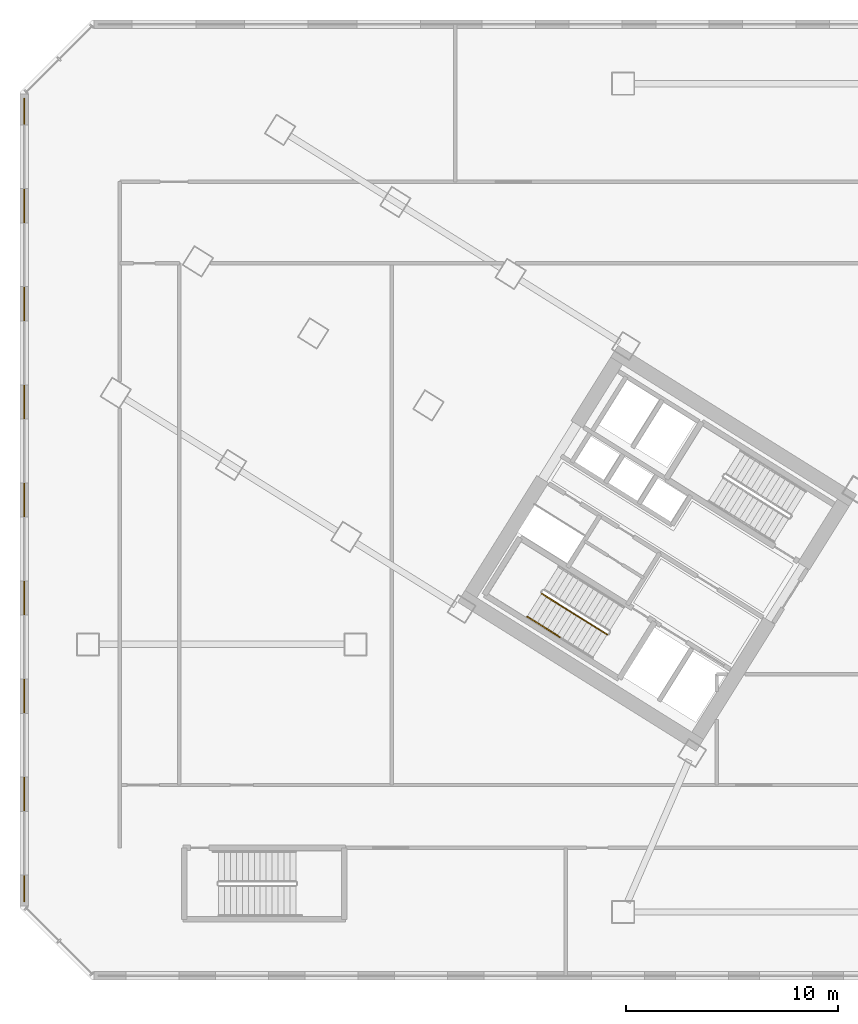
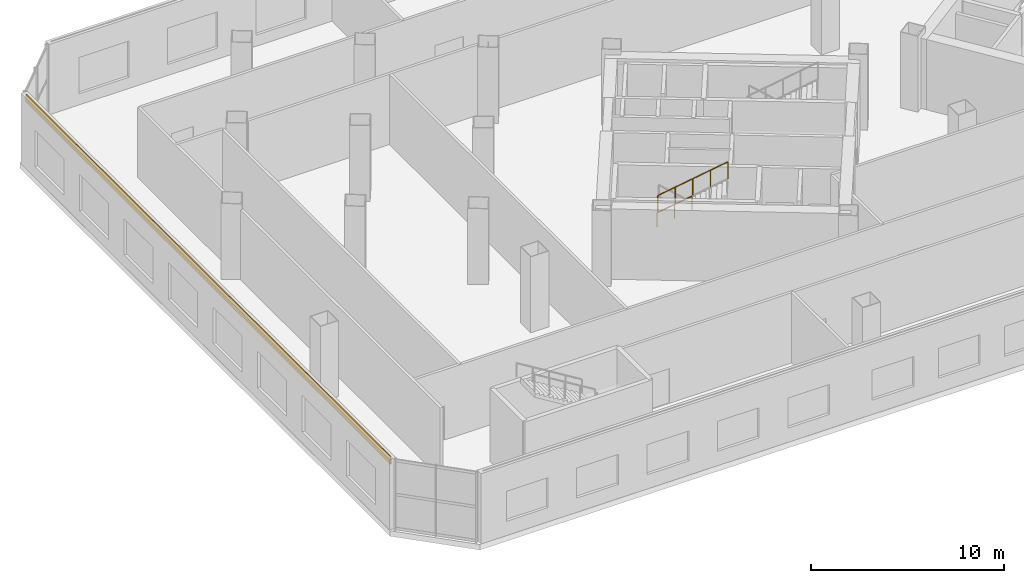
# One storey, part 17 of 22: 2 railings, 1 covering.
"""IFC4 building model written with IfcOpenShell, lengths in metres."""

import ifcopenshell
import ifcopenshell.guid

model = None  # the IFC model being written
_history = None  # IfcOwnerHistory: only IFC2X3 demands one
_inside = {}  # id of a spatial element -> (the spatial element, [elements in it])
_under = {}  # id of a project, library or spatial element -> (it, [spatial elements below it])
_declared = {}  # id of a project -> (the project, [libraries it declares])
_typed = {}  # id of a type object -> (the type object, [elements of that type])
_made_of = {}  # id of a material, layer set ... -> (it, [elements and type objects made of it])


def new_model(schema):
    """Start an empty IFC model of exactly this schema.

    Asked for "IFC4X3", IfcOpenShell would pick the latest addendum, in which some entities
    have other attributes; the version numbers below select the first issue.
    IFC2X3 requires an IfcOwnerHistory on every rooted entity: one is made here for all.
    """
    global model, _history
    if schema == "IFC4X3":
        model = ifcopenshell.file(schema_version=(4, 3, 0, 0))
    else:
        model = ifcopenshell.file(schema=schema)
    _inside.clear()
    _under.clear()
    _declared.clear()
    _typed.clear()
    _made_of.clear()
    _history = None
    if model.schema == "IFC2X3":
        org = make("IfcOrganization", Name="unknown")
        user = make(
            "IfcPersonAndOrganization",
            ThePerson=make("IfcPerson", FamilyName="unknown"),
            TheOrganization=org,
        )
        app = make(
            "IfcApplication",
            ApplicationDeveloper=org,
            Version="unknown",
            ApplicationFullName="unknown",
            ApplicationIdentifier="unknown",
        )
        _history = make(
            "IfcOwnerHistory",
            OwningUser=user,
            OwningApplication=app,
            ChangeAction="ADDED",
            CreationDate=0,
        )
    return model


def make(cls, **values):
    """One entity of the class cls with the attributes given. An attribute that is None is left unset."""
    return model.create_entity(
        cls, **{name: value for name, value in values.items() if value is not None}
    )


def rooted(cls, **values):
    """An entity with a GlobalId (a new one), such as an element, a storey or a relation."""
    return make(cls, GlobalId=ifcopenshell.guid.new(), OwnerHistory=_history, **values)


def si_unit(unit_type, name, prefix=None):
    """IfcSIUnit, for example si_unit("LENGTHUNIT", "METRE", prefix="MILLI")."""
    return make("IfcSIUnit", UnitType=unit_type, Prefix=prefix, Name=name)


def assignment(units):
    """IfcUnitAssignment: the units of a project."""
    return None if units is None else make("IfcUnitAssignment", Units=units)


def point(xyz):
    """IfcCartesianPoint."""
    return None if xyz is None else make("IfcCartesianPoint", Coordinates=xyz)


def direction(xyz):
    """IfcDirection."""
    return None if xyz is None else make("IfcDirection", DirectionRatios=xyz)


def frame(location, z_axis=None, x_axis=None):
    """IfcAxis2Placement3D, a coordinate frame: its origin and axes. An axis left out is left unset."""
    return make(
        "IfcAxis2Placement3D",
        Location=point(location),
        Axis=direction(z_axis),
        RefDirection=direction(x_axis),
    )


def frame_2d(location, x_axis=None):
    """IfcAxis2Placement2D, a coordinate frame in the plane: its origin and x axis."""
    return make(
        "IfcAxis2Placement2D", Location=point(location), RefDirection=direction(x_axis)
    )


def origin():
    """The frame at (0, 0, 0) with its axes left unset."""
    return frame((0.0, 0.0, 0.0))


def origin_2d():
    """The frame at (0, 0) in the plane with its x axis left unset."""
    return frame_2d((0.0, 0.0))


def place(relative_to, where):
    """IfcLocalPlacement: puts the frame where relative to a parent placement (None: the world)."""
    return make(
        "IfcLocalPlacement", PlacementRelTo=relative_to, RelativePlacement=where
    )


def context(
    kind, dimensions, precision=None, world=None, true_north=None, identifier=None
):
    """IfcGeometricRepresentationContext, for example the 3D "Model" context."""
    return make(
        "IfcGeometricRepresentationContext",
        ContextIdentifier=identifier,
        ContextType=kind,
        CoordinateSpaceDimension=dimensions,
        Precision=precision,
        WorldCoordinateSystem=world,
        TrueNorth=true_north,
    )


def subcontext(parent, identifier, kind, view, scale=None):
    """IfcGeometricRepresentationSubContext, for example "Body" below "Model"."""
    return make(
        "IfcGeometricRepresentationSubContext",
        ContextIdentifier=identifier,
        ContextType=kind,
        ParentContext=parent,
        TargetScale=scale,
        TargetView=view,
    )


def project(units=None, contexts=None):
    """IfcProject with its units and contexts."""
    return rooted(
        "IfcProject",
        Name="project",
        RepresentationContexts=contexts,
        UnitsInContext=assignment(units),
    )


def spatial(cls, under=None, at=None, **own):
    """A site, building, storey or space (cls), placed at a placement, below another one or the project."""
    s = rooted(cls, ObjectPlacement=at, **own)
    if under is not None:
        _under.setdefault(under.id(), (under, []))[1].append(s)
    return s


def profile(cls, at=None, kind="AREA", **sizes):
    """A parametric profile (cls). Its sizes go by their IFC names, for example OverallWidth=200.0."""
    return make(cls, ProfileType=kind, Position=at, **sizes)


def rectangle(**sizes):
    """IfcRectangleProfileDef."""
    return profile("IfcRectangleProfileDef", **sizes)


def extrude(swept, where, along, depth):
    """IfcExtrudedAreaSolid: the profile swept, set in the frame where, extruded along a direction by depth."""
    return make(
        "IfcExtrudedAreaSolid",
        SweptArea=swept,
        Position=where,
        ExtrudedDirection=direction(along),
        Depth=depth,
    )


def shape(context_of_items, identifier, shape_type, items):
    """IfcShapeRepresentation: the items that make up one representation, for example the "Body"."""
    return make(
        "IfcShapeRepresentation",
        ContextOfItems=context_of_items,
        RepresentationIdentifier=identifier,
        RepresentationType=shape_type,
        Items=items,
    )


def source(mapping_origin, context_of_items, identifier, shape_type, items):
    """IfcRepresentationMap: a shape defined once, which mapped items show again and again."""
    return make(
        "IfcRepresentationMap",
        MappingOrigin=mapping_origin,
        MappedRepresentation=shape(context_of_items, identifier, shape_type, items),
    )


def transform(
    local_origin,
    x_axis=None,
    y_axis=None,
    z_axis=None,
    scale=None,
    scale2=None,
    scale3=None,
    uniform=True,
):
    """IfcCartesianTransformationOperator3D, or its non-uniform kind. x_axis, y_axis, z_axis: its Axis1, 2, 3."""
    if uniform:
        return make(
            "IfcCartesianTransformationOperator3D",
            Axis1=direction(x_axis),
            Axis2=direction(y_axis),
            LocalOrigin=point(local_origin),
            Scale=scale,
            Axis3=direction(z_axis),
        )
    return make(
        "IfcCartesianTransformationOperator3DnonUniform",
        Axis1=direction(x_axis),
        Axis2=direction(y_axis),
        LocalOrigin=point(local_origin),
        Scale=scale,
        Axis3=direction(z_axis),
        Scale2=scale2,
        Scale3=scale3,
    )


def mapped(mapping_source, mapping_target):
    """IfcMappedItem: shows the shape of a source again, moved by a transform."""
    return make(
        "IfcMappedItem", MappingSource=mapping_source, MappingTarget=mapping_target
    )


def material(Name=None, Category=None):
    """IfcMaterial."""
    return make("IfcMaterial", Name=Name, Category=Category)


def layer(
    of_material, thickness, ventilated=None, Name=None, Category=None, Priority=None
):
    """IfcMaterialLayer: one layer of a wall or slab, of a material (None: an air gap)."""
    return make(
        "IfcMaterialLayer",
        Material=of_material,
        LayerThickness=thickness,
        IsVentilated=ventilated,
        Name=Name,
        Category=Category,
        Priority=Priority,
    )


def layer_set(layers, Name=None):
    """IfcMaterialLayerSet."""
    return make("IfcMaterialLayerSet", MaterialLayers=layers, LayerSetName=Name)


def made_of(thing, what):
    """Note that an element or type object is made of a material, layer set ...; save() writes the relation."""
    if what is not None:
        _made_of.setdefault(what.id(), (what, []))[1].append(thing)
    return thing


def type_object(cls, material=None, **own):
    """A type object (cls), such as IfcWallType, which elements share."""
    return made_of(rooted(cls, **own), material)


def element(
    cls,
    number,
    at=None,
    inside=None,
    cuts=None,
    type_object=None,
    material=None,
    context=None,
    identifier="Body",
    shape_type=None,
    held_by="IfcProductDefinitionShape",
    body=None,
    shapes=None,
    **own,
):
    """One element of the class cls, such as IfcWall. Its Tag is "e" and its number.

    at: its placement. inside: the storey or other place that contains it. cuts: it is an
    opening in that element (IfcRelVoidsElement). A single representation is given by context,
    identifier, shape_type and body (its items); several are given by shapes. held_by: the class
    of the entity that holds the representations. save() writes the other relations.
    """
    e = rooted(cls, Tag="e%d" % number, ObjectPlacement=at, **own)
    if body is not None:
        shapes = [shape(context, identifier, shape_type, body)]
    if shapes is not None:
        e.Representation = make(held_by, Representations=shapes)
    if inside is not None:
        _inside.setdefault(inside.id(), (inside, []))[1].append(e)
    if cuts is not None:
        rooted(
            "IfcRelVoidsElement", RelatingBuildingElement=cuts, RelatedOpeningElement=e
        )
    if type_object is not None:
        _typed.setdefault(type_object.id(), (type_object, []))[1].append(e)
    return made_of(e, material)


def aggregate(whole, parts):
    """IfcRelAggregates: a whole, such as a stair, and the parts it consists of."""
    return rooted("IfcRelAggregates", RelatingObject=whole, RelatedObjects=parts)


def save(model, path):
    """Write the relations noted so far, then the file.

    IfcRelAggregates (storeys below a building ...), IfcRelContainedInSpatialStructure (elements
    in a storey), IfcRelDefinesByType, IfcRelAssociatesMaterial and IfcRelDeclares: one each for
    every whole, place, type object, material and project.
    """
    for whole, parts in _under.values():
        aggregate(whole, parts)
    for where, things in _inside.values():
        rooted(
            "IfcRelContainedInSpatialStructure",
            RelatedElements=things,
            RelatingStructure=where,
        )
    for kind, things in _typed.values():
        rooted("IfcRelDefinesByType", RelatedObjects=things, RelatingType=kind)
    for what, things in _made_of.values():
        rooted("IfcRelAssociatesMaterial", RelatedObjects=things, RelatingMaterial=what)
    for by, libraries in _declared.values():
        rooted("IfcRelDeclares", RelatingContext=by, RelatedDefinitions=libraries)
    model.write(path)


model = new_model("IFC4")

# Units and contexts
model_context = context("Model", 3, precision=1e-05, world=origin(), true_north=direction((0.0, 1.0)))
body_context = subcontext(model_context, "Body", "Model", "MODEL_VIEW")
ifc_project = project(units=[si_unit("LENGTHUNIT", "METRE"), si_unit("AREAUNIT", "SQUARE_METRE"), si_unit("VOLUMEUNIT", "CUBIC_METRE"), si_unit("PLANEANGLEUNIT", "RADIAN"), si_unit("MASSUNIT", "GRAM", prefix="KILO")], contexts=[model_context])

# Site, building, storey
site_placement = place(None, origin())
site = spatial("IfcSite", under=ifc_project, at=site_placement, CompositionType="ELEMENT")
building_placement = place(site_placement, origin())
building = spatial("IfcBuilding", under=site, at=building_placement, Name="Tlacorven Tower", CompositionType="ELEMENT")
storey_placement = place(building_placement, frame((0.0, 0.0, 5.39990234375)))
storey = spatial("IfcBuildingStorey", under=building, at=storey_placement, Name="L01", CompositionType="ELEMENT", Elevation=5.39990234375)

# Covering
ifc_material_1 = material(Name="Precast concrete C45/55", Category="concrete")
ifc_layer = layer(ifc_material_1, 0.06005859375)
ifc_layer_set = layer_set([ifc_layer], Name="Precast concrete C45/55")
covering_type = type_object("IfcCoveringType", Name="CV-CLD-TERC", PredefinedType="CLADDING", material=ifc_layer_set)
shared_shape_1 = source(origin(), body_context, "Body", "SweptSolid", [
    extrude(rectangle(XDim=37.834228515625, YDim=0.06005859375, at=origin_2d()), origin(), (0.0, 0.0, 1.0), 0.47998046875),
])
covering_placement = place(storey_placement, frame((1.60009765625, 24.0, 3.97021484375), z_axis=(0.0, 0.0, 1.0), x_axis=(0.0, 1.0, 0.0)))
element("IfcCovering", 1, at=covering_placement, inside=storey, type_object=covering_type, Name="L01 Expressed Terracotta Masonry Spandrel Band 2", PredefinedType="CLADDING", context=body_context, shape_type="MappedRepresentation", body=[
    mapped(shared_shape_1, transform((0.0, 0.0, 0.0), scale=1.0)),
])

# Railings
ifc_material_2 = material(Name="Aluminium and painted steel balustrade", Category="steel")
railing_type_1 = type_object("IfcRailingType", Name="RL-GRD-1100", PredefinedType="GUARDRAIL", material=ifc_material_2)
shared_shape_2 = source(origin(), body_context, "Body", "SweptSolid", [
    extrude(rectangle(XDim=0.048095703125, YDim=0.048095703125, at=origin_2d()), frame((0.0, 0.0, 1.076171875), z_axis=(0.723262235119, -0.451953093932, 0.522139962209), x_axis=(0.529926592015, 0.848043517206, 0.0)), (0.0, 0.0, 1.0), 4.26806640625),
    extrude(rectangle(XDim=0.0419921875, YDim=0.0419921875, at=origin_2d()), origin(), (0.0, 0.0, 1.0), 1.052001953125),
    extrude(rectangle(XDim=0.0419921875, YDim=0.0419921875, at=origin_2d()), frame((0.771728515625, -0.482177734375, 0.55712890625)), (0.0, 0.0, 1.0), 1.052001953125),
    extrude(rectangle(XDim=0.0419921875, YDim=0.0419921875, at=origin_2d()), frame((1.54345703125, -0.96435546875, 1.1142578125)), (0.0, 0.0, 1.0), 1.052001953125),
    extrude(rectangle(XDim=0.0419921875, YDim=0.0419921875, at=origin_2d()), frame((2.315185546875, -1.44677734375, 1.67138671875)), (0.0, 0.0, 1.0), 1.052001953125),
    extrude(rectangle(XDim=0.0419921875, YDim=0.0419921875, at=origin_2d()), frame((3.0869140625, -1.928955078125, 2.228515625)), (0.0, 0.0, 1.0), 1.052001953125),
])
railing_1_placement = place(storey_placement, frame((25.957275390625, 19.59423828125, 2.571533203125)))
element("IfcRailing", 2, at=railing_1_placement, inside=storey, type_object=railing_type_1, Name="L01 ST-W1 stair guard 3", PredefinedType="GUARDRAIL", context=body_context, shape_type="MappedRepresentation", body=[
    mapped(shared_shape_2, transform((0.0, 0.0, 0.0), scale=1.0)),
])
railing_type_2 = type_object("IfcRailingType", Name="RL-HND-0900", PredefinedType="HANDRAIL", material=ifc_material_2)
shared_shape_3 = source(origin(), body_context, "Body", "SweptSolid", [
    extrude(rectangle(XDim=0.048095703125, YDim=0.048095703125, at=origin_2d()), frame((0.0, 0.0, 0.8759765625), z_axis=(0.723243536433, -0.451998610004, 0.522126463189), x_axis=(0.529974825293, 0.848013375222, 0.0)), (0.0, 0.0, 1.0), 2.134033203125),
    extrude(rectangle(XDim=0.0419921875, YDim=0.0419921875, at=origin_2d()), origin(), (0.0, 0.0, 1.0), 0.851806640625),
    extrude(rectangle(XDim=0.0419921875, YDim=0.0419921875, at=origin_2d()), frame((0.771728515625, -0.482421875, 0.55712890625)), (0.0, 0.0, 1.0), 0.851806640625),
    extrude(rectangle(XDim=0.0419921875, YDim=0.0419921875, at=origin_2d()), frame((1.54345703125, -0.964599609375, 1.1142578125)), (0.0, 0.0, 1.0), 0.851806640625),
])
railing_2_placement = place(storey_placement, frame((25.27880859375, 18.5087890625, 2.571533203125)))
element("IfcRailing", 3, at=railing_2_placement, inside=storey, type_object=railing_type_2, Name="L01 ST-W1 stair handrail 3", PredefinedType="HANDRAIL", context=body_context, shape_type="MappedRepresentation", body=[
    mapped(shared_shape_3, transform((0.0, 0.0, 0.0), scale=1.0)),
])

save(model, "model.ifc")
